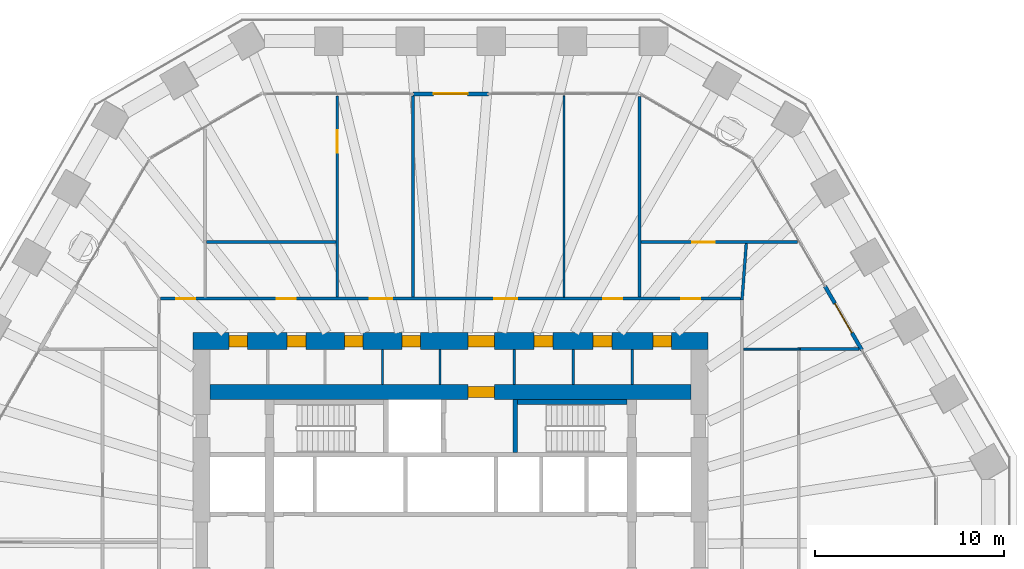
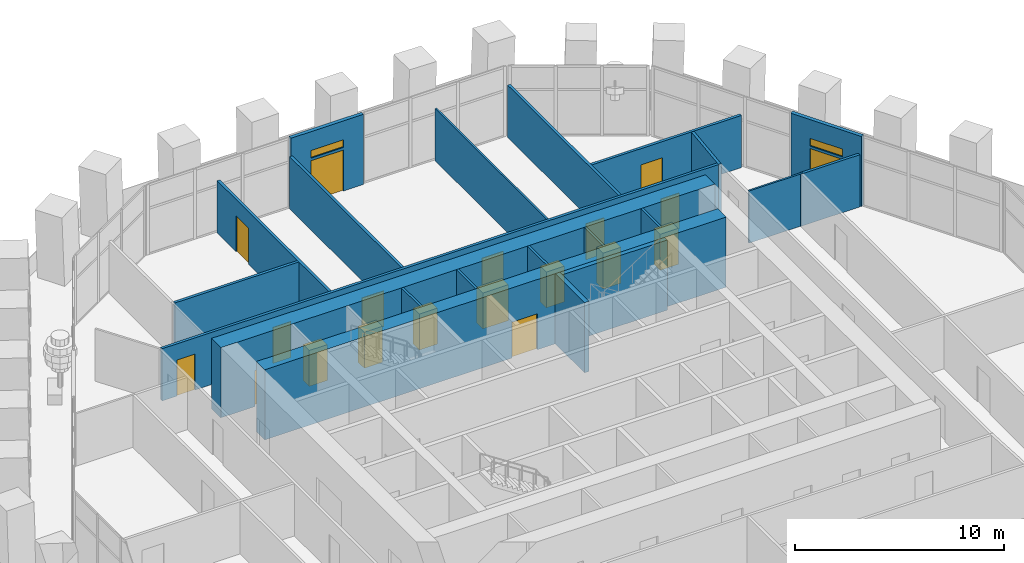
# One storey, part 14 of 18: 21 walls, 19 doors, 2 windows, 21 openings.
"""IFC4 building model written with IfcOpenShell, lengths in metres."""

from ifc_helpers import new_model, si_unit, direction, frame, frame_2d, origin, place, context, subcontext, project, spatial, rectangle, extrude, material, layer, layer_set, type_object, element, fill, save


model = new_model("IFC4")

# Units and contexts
model_context = context("Model", 3, precision=1e-05, world=origin(), true_north=direction((0.0, 1.0)))
body_context = subcontext(model_context, "Body", "Model", "MODEL_VIEW")
ifc_project = project(units=[si_unit("LENGTHUNIT", "METRE"), si_unit("AREAUNIT", "SQUARE_METRE"), si_unit("VOLUMEUNIT", "CUBIC_METRE"), si_unit("PLANEANGLEUNIT", "RADIAN"), si_unit("MASSUNIT", "GRAM", prefix="KILO")], contexts=[model_context])

# Site, building, storey
site_placement = place(None, origin())
site = spatial("IfcSite", under=ifc_project, at=site_placement, CompositionType="ELEMENT")
building_placement = place(site_placement, origin())
building = spatial("IfcBuilding", under=site, at=building_placement, Name="Frailejon Research Tower", CompositionType="ELEMENT")
storey_placement = place(building_placement, frame((0.0, 0.0, 19.0)))
storey = spatial("IfcBuildingStorey", under=building, at=storey_placement, Name="L04", CompositionType="ELEMENT", Elevation=19.0)

# Walls
ifc_material_1 = material(Name="Plasterboard on steel studs", Category="steel")
ifc_layer_1 = layer(ifc_material_1, 0.125)
ifc_layer_set_1 = layer_set([ifc_layer_1], Name="Core partition 125")
wall_type_1 = type_object("IfcWallType", Name="Core partition 125", PredefinedType="PARTITIONING", material=ifc_layer_set_1)
for number, where, z_axis, x_axis, name in (
    (1, (-3.609375, 8.5, 0.0), (0.0, 0.0, 1.0), (0.0, 1.0, 0.0), "Core partition"),
    (2, (-0.5625, 8.5, 0.0), (0.0, 0.0, 1.0), (0.0, 1.0, 0.0), "Core partition"),
    (3, (3.362548828125, 8.5, 0.0), (0.0, 0.0, 1.0), (0.0, 1.0, 0.0), "Core partition"),
    (4, (6.49169921875, 8.5, 0.0), (0.0, 0.0, 1.0), (0.0, 1.0, 0.0), "Core partition"),
    (5, (9.620849609375, 8.5, 0.0), (0.0, 0.0, 1.0), (0.0, 1.0, 0.0), "Core partition"),
):
    element("IfcWall", number, at=place(storey_placement, frame(where, z_axis=z_axis, x_axis=x_axis)), inside=storey, type_object=wall_type_1, Name=name, PredefinedType="PARTITIONING", context=body_context, shape_type="SweptSolid", body=[
        extrude(rectangle(XDim=1.85009765625, YDim=0.125, at=frame_2d((0.925048828125, 0.0))), origin(), (0.0, 0.0, 1.0), 4.10009765625),
    ])

# Wall, opening, door
ifc_material_2 = material(Name="Concrete C70/85", Category="concrete")
ifc_layer_2 = layer(ifc_material_2, 0.800048828125)
ifc_layer_set_2 = layer_set([ifc_layer_2], Name="Core shear wall 800 C70/85")
wall_type_2 = type_object("IfcWallType", Name="Core shear wall 800 C70/85", PredefinedType="SHEAR", material=ifc_layer_set_2)
wall_1_placement = place(storey_placement, frame((-12.75, 8.10009765625, 0.0), z_axis=(0.0, 0.0, 1.0), x_axis=(1.0, 0.0, 0.0)))
wall_1 = element("IfcWall", 6, at=wall_1_placement, inside=storey, type_object=wall_type_2, Name="Core shear wall", PredefinedType="SHEAR", context=body_context, shape_type="SweptSolid", body=[
    extrude(rectangle(XDim=25.5, YDim=0.800048828125, at=frame_2d((12.75, 0.0))), origin(), (0.0, 0.0, 1.0), 4.10009765625),
])
opening_1_placement = place(wall_1_placement, frame((13.675048828125, 0.0, 0.0)))
opening_1 = element("IfcOpeningElement", 7, at=opening_1_placement, cuts=wall_1, Name="Opening D9", PredefinedType="OPENING", context=body_context, shape_type="SweptSolid", body=[
    extrude(rectangle(XDim=1.39990234375, YDim=2.10009765625, at=frame_2d((0.699951171875, 1.050048828125))), frame((0.0, 0.409912109375, 0.0), z_axis=(0.0, -1.0, 0.0), x_axis=(1.0, 0.0, 0.0)), (0.0, 0.0, 1.0), 0.820068359375),
])
ifc_material_3 = material(Name="Steel", Category="steel")
door_type_1 = type_object("IfcDoorType", Name="Goods lobby door", OperationType="DOUBLE_DOOR_SINGLE_SWING", PredefinedType="DOOR", material=ifc_material_3)
door_1_placement = place(opening_1_placement, origin())
door_1 = element("IfcDoor", 8, at=door_1_placement, inside=storey, type_object=door_type_1, Name="Goods lobby door", OperationType="DOUBLE_DOOR_SINGLE_SWING", OverallHeight=2.10009765625, OverallWidth=1.39990234375, PredefinedType="DOOR", context=body_context, shape_type="SweptSolid", body=[
    extrude(rectangle(XDim=1.39990234375, YDim=2.10009765625, at=frame_2d((0.699951171875, 1.050048828125))), frame((0.0, 0.300048828125, 0.0), z_axis=(0.0, -1.0, 0.0), x_axis=(1.0, 0.0, 0.0)), (0.0, 0.0, 1.0), 0.60009765625),
])
fill(opening_1, door_1)

# Wall, openings, doors
ifc_material_4 = material(Name="Concrete C70/85", Category="concrete")
ifc_layer_3 = layer(ifc_material_4, 0.89990234375)
ifc_layer_set_3 = layer_set([ifc_layer_3], Name="Core shear wall 900 C70/85")
wall_type_3 = type_object("IfcWallType", Name="Core shear wall 900 C70/85", PredefinedType="SHEAR", material=ifc_layer_set_3)
wall_2_placement = place(storey_placement, frame((-13.64990234375, 10.800048828125, 0.0), z_axis=(0.0, 0.0, 1.0), x_axis=(1.0, 0.0, 0.0)))
wall_2 = element("IfcWall", 9, at=wall_2_placement, inside=storey, type_object=wall_type_3, Name="Core shear wall", PredefinedType="SHEAR", context=body_context, shape_type="SweptSolid", body=[
    extrude(rectangle(XDim=27.2998046875, YDim=0.89990234375, at=frame_2d((13.64990234375, 0.0))), origin(), (0.0, 0.0, 1.0), 4.10009765625),
])
opening_2_placement = place(wall_2_placement, frame((1.89208984375, 0.0, 0.0)))
opening_2 = element("IfcOpeningElement", 10, at=opening_2_placement, cuts=wall_2, Name="Opening D4", PredefinedType="OPENING", context=body_context, shape_type="SweptSolid", body=[
    extrude(rectangle(XDim=1.0, YDim=2.10009765625, at=frame_2d((0.5, 1.050048828125))), frame((0.0, 0.4599609375, 0.0), z_axis=(0.0, -1.0, 0.0), x_axis=(1.0, 0.0, 0.0)), (0.0, 0.0, 1.0), 0.919921875),
])
opening_3_placement = place(wall_2_placement, frame((4.97021484375, 0.0, 0.0)))
opening_3 = element("IfcOpeningElement", 11, at=opening_3_placement, cuts=wall_2, Name="Opening D4", PredefinedType="OPENING", context=body_context, shape_type="SweptSolid", body=[
    extrude(rectangle(XDim=1.0, YDim=2.10009765625, at=frame_2d((0.5, 1.050048828125))), frame((0.0, 0.4599609375, 0.0), z_axis=(0.0, -1.0, 0.0), x_axis=(1.0, 0.0, 0.0)), (0.0, 0.0, 1.0), 0.919921875),
])
opening_4_placement = place(wall_2_placement, frame((8.01708984375, 0.0, 0.0)))
opening_4 = element("IfcOpeningElement", 12, at=opening_4_placement, cuts=wall_2, Name="Opening D4", PredefinedType="OPENING", context=body_context, shape_type="SweptSolid", body=[
    extrude(rectangle(XDim=1.0, YDim=2.10009765625, at=frame_2d((0.5, 1.050048828125))), frame((0.0, 0.4599609375, 0.0), z_axis=(0.0, -1.0, 0.0), x_axis=(1.0, 0.0, 0.0)), (0.0, 0.0, 1.0), 0.919921875),
])
opening_5_placement = place(wall_2_placement, frame((11.064208984375, 0.0, 0.0)))
opening_5 = element("IfcOpeningElement", 13, at=opening_5_placement, cuts=wall_2, Name="Opening D4", PredefinedType="OPENING", context=body_context, shape_type="SweptSolid", body=[
    extrude(rectangle(XDim=1.0, YDim=2.10009765625, at=frame_2d((0.5, 1.050048828125))), frame((0.0, 0.4599609375, 0.0), z_axis=(0.0, -1.0, 0.0), x_axis=(1.0, 0.0, 0.0)), (0.0, 0.0, 1.0), 0.919921875),
])
opening_6_placement = place(wall_2_placement, frame((18.0771484375, 0.0, 0.0)))
opening_6 = element("IfcOpeningElement", 14, at=opening_6_placement, cuts=wall_2, Name="Opening D4", PredefinedType="OPENING", context=body_context, shape_type="SweptSolid", body=[
    extrude(rectangle(XDim=1.0, YDim=2.10009765625, at=frame_2d((0.5, 1.050048828125))), frame((0.0, 0.4599609375, 0.0), z_axis=(0.0, -1.0, 0.0), x_axis=(1.0, 0.0, 0.0)), (0.0, 0.0, 1.0), 0.919921875),
])
opening_7_placement = place(wall_2_placement, frame((21.206298828125, 0.0, 0.0)))
opening_7 = element("IfcOpeningElement", 15, at=opening_7_placement, cuts=wall_2, Name="Opening D4", PredefinedType="OPENING", context=body_context, shape_type="SweptSolid", body=[
    extrude(rectangle(XDim=1.0, YDim=2.10009765625, at=frame_2d((0.5, 1.050048828125))), frame((0.0, 0.4599609375, 0.0), z_axis=(0.0, -1.0, 0.0), x_axis=(1.0, 0.0, 0.0)), (0.0, 0.0, 1.0), 0.919921875),
])
opening_8_placement = place(wall_2_placement, frame((24.36669921875, 0.0, 0.0)))
opening_8 = element("IfcOpeningElement", 16, at=opening_8_placement, cuts=wall_2, Name="Opening D4", PredefinedType="OPENING", context=body_context, shape_type="SweptSolid", body=[
    extrude(rectangle(XDim=1.0, YDim=2.10009765625, at=frame_2d((0.5, 1.050048828125))), frame((0.0, 0.4599609375, 0.0), z_axis=(0.0, -1.0, 0.0), x_axis=(1.0, 0.0, 0.0)), (0.0, 0.0, 1.0), 0.919921875),
])
opening_9_placement = place(wall_2_placement, frame((14.574951171875, 0.0, 0.0)))
opening_9 = element("IfcOpeningElement", 17, at=opening_9_placement, cuts=wall_2, Name="Opening D9", PredefinedType="OPENING", context=body_context, shape_type="SweptSolid", body=[
    extrude(rectangle(XDim=1.39990234375, YDim=2.10009765625, at=frame_2d((0.699951171875, 1.050048828125))), frame((0.0, 0.4599609375, 0.0), z_axis=(0.0, -1.0, 0.0), x_axis=(1.0, 0.0, 0.0)), (0.0, 0.0, 1.0), 0.919921875),
])
door_2_placement = place(opening_9_placement, origin())
door_2 = element("IfcDoor", 18, at=door_2_placement, inside=storey, type_object=door_type_1, Name="Passage door", OperationType="DOUBLE_DOOR_SINGLE_SWING", OverallHeight=2.10009765625, OverallWidth=1.39990234375, PredefinedType="DOOR", context=body_context, shape_type="SweptSolid", body=[
    extrude(rectangle(XDim=1.39990234375, YDim=2.10009765625, at=frame_2d((0.699951171875, 1.050048828125))), frame((0.0, 0.300048828125, 0.0), z_axis=(0.0, -1.0, 0.0), x_axis=(1.0, 0.0, 0.0)), (0.0, 0.0, 1.0), 0.60009765625),
])
fill(opening_9, door_2)
ifc_material_5 = material(Name="Steel", Category="steel")
door_type_2 = type_object("IfcDoorType", Name="Service door", OperationType="SINGLE_SWING_LEFT", PredefinedType="DOOR", material=ifc_material_5)
door_3_placement = place(opening_2_placement, origin())
door_3 = element("IfcDoor", 19, at=door_3_placement, inside=storey, type_object=door_type_2, Name="Room door", OperationType="SINGLE_SWING_RIGHT", OverallHeight=2.10009765625, OverallWidth=1.0, PredefinedType="DOOR", context=body_context, shape_type="SweptSolid", body=[
    extrude(rectangle(XDim=1.0, YDim=2.10009765625, at=frame_2d((0.5, 1.050048828125))), frame((0.0, 0.300048828125, 0.0), z_axis=(0.0, -1.0, 0.0), x_axis=(1.0, 0.0, 0.0)), (0.0, 0.0, 1.0), 0.60009765625),
])
fill(opening_2, door_3)
door_4_placement = place(opening_3_placement, origin())
door_4 = element("IfcDoor", 20, at=door_4_placement, inside=storey, type_object=door_type_2, Name="Room door", OperationType="SINGLE_SWING_LEFT", OverallHeight=2.10009765625, OverallWidth=1.0, PredefinedType="DOOR", context=body_context, shape_type="SweptSolid", body=[
    extrude(rectangle(XDim=1.0, YDim=2.10009765625, at=frame_2d((0.5, 1.050048828125))), frame((0.0, 0.300048828125, 0.0), z_axis=(0.0, -1.0, 0.0), x_axis=(1.0, 0.0, 0.0)), (0.0, 0.0, 1.0), 0.60009765625),
])
fill(opening_3, door_4)
door_5_placement = place(opening_4_placement, origin())
door_5 = element("IfcDoor", 21, at=door_5_placement, inside=storey, type_object=door_type_2, Name="Room door", OperationType="SINGLE_SWING_RIGHT", OverallHeight=2.10009765625, OverallWidth=1.0, PredefinedType="DOOR", context=body_context, shape_type="SweptSolid", body=[
    extrude(rectangle(XDim=1.0, YDim=2.10009765625, at=frame_2d((0.5, 1.050048828125))), frame((0.0, 0.300048828125, 0.0), z_axis=(0.0, -1.0, 0.0), x_axis=(1.0, 0.0, 0.0)), (0.0, 0.0, 1.0), 0.60009765625),
])
fill(opening_4, door_5)
door_6_placement = place(opening_5_placement, origin())
door_6 = element("IfcDoor", 22, at=door_6_placement, inside=storey, type_object=door_type_2, Name="Room door", OperationType="SINGLE_SWING_LEFT", OverallHeight=2.10009765625, OverallWidth=1.0, PredefinedType="DOOR", context=body_context, shape_type="SweptSolid", body=[
    extrude(rectangle(XDim=1.0, YDim=2.10009765625, at=frame_2d((0.5, 1.050048828125))), frame((0.0, 0.300048828125, 0.0), z_axis=(0.0, -1.0, 0.0), x_axis=(1.0, 0.0, 0.0)), (0.0, 0.0, 1.0), 0.60009765625),
])
fill(opening_5, door_6)
door_7_placement = place(opening_6_placement, origin())
door_7 = element("IfcDoor", 23, at=door_7_placement, inside=storey, type_object=door_type_2, Name="Room door", OperationType="SINGLE_SWING_RIGHT", OverallHeight=2.10009765625, OverallWidth=1.0, PredefinedType="DOOR", context=body_context, shape_type="SweptSolid", body=[
    extrude(rectangle(XDim=1.0, YDim=2.10009765625, at=frame_2d((0.5, 1.050048828125))), frame((0.0, 0.300048828125, 0.0), z_axis=(0.0, -1.0, 0.0), x_axis=(1.0, 0.0, 0.0)), (0.0, 0.0, 1.0), 0.60009765625),
])
fill(opening_6, door_7)
door_8_placement = place(opening_7_placement, origin())
door_8 = element("IfcDoor", 24, at=door_8_placement, inside=storey, type_object=door_type_2, Name="Room door", OperationType="SINGLE_SWING_LEFT", OverallHeight=2.10009765625, OverallWidth=1.0, PredefinedType="DOOR", context=body_context, shape_type="SweptSolid", body=[
    extrude(rectangle(XDim=1.0, YDim=2.10009765625, at=frame_2d((0.5, 1.050048828125))), frame((0.0, 0.300048828125, 0.0), z_axis=(0.0, -1.0, 0.0), x_axis=(1.0, 0.0, 0.0)), (0.0, 0.0, 1.0), 0.60009765625),
])
fill(opening_7, door_8)
door_9_placement = place(opening_8_placement, origin())
door_9 = element("IfcDoor", 25, at=door_9_placement, inside=storey, type_object=door_type_2, Name="Room door", OperationType="SINGLE_SWING_RIGHT", OverallHeight=2.10009765625, OverallWidth=1.0, PredefinedType="DOOR", context=body_context, shape_type="SweptSolid", body=[
    extrude(rectangle(XDim=1.0, YDim=2.10009765625, at=frame_2d((0.5, 1.050048828125))), frame((0.0, 0.300048828125, 0.0), z_axis=(0.0, -1.0, 0.0), x_axis=(1.0, 0.0, 0.0)), (0.0, 0.0, 1.0), 0.60009765625),
])
fill(opening_8, door_9)

ifc_material_6 = material(Name="Gypsum board and masonry partition", Category="masonry")
ifc_layer_4 = layer(ifc_material_6, 0.14990234375)
ifc_layer_set_4 = layer_set([ifc_layer_4], Name="Corridor wall EI 60, gypsum on steel studs 150")
wall_type_4 = type_object("IfcWallType", Name="Corridor wall EI 60, gypsum on steel studs 150", PredefinedType="PARTITIONING", material=ifc_layer_set_4)
wall_3_placement = place(storey_placement, frame((-15.375, 13.050048828125, 0.0), z_axis=(0.0, 0.0, 1.0), x_axis=(1.0, 0.0, 0.0)))
wall_3 = element("IfcWall", 26, at=wall_3_placement, inside=storey, type_object=wall_type_4, Name="T:IW:L04:002", PredefinedType="PARTITIONING", context=body_context, shape_type="SweptSolid", body=[
    extrude(rectangle(XDim=30.75, YDim=0.14990234375, at=frame_2d((15.375, 0.0))), origin(), (0.0, 0.0, 1.0), 3.050048828125),
])
opening_10_placement = place(wall_3_placement, frame((27.60791015625, 0.0, 0.0)))
opening_10 = element("IfcOpeningElement", 27, at=opening_10_placement, cuts=wall_3, Name="Opening D1246", PredefinedType="OPENING", context=body_context, shape_type="SweptSolid", body=[
    extrude(rectangle(XDim=1.0, YDim=2.10009765625, at=frame_2d((0.5, 1.050048828125))), frame((0.0, 0.0849609375, 0.0), z_axis=(0.0, -1.0, 0.0), x_axis=(1.0, 0.0, 0.0)), (0.0, 0.0, 1.0), 0.169921875),
])
opening_11_placement = place(wall_3_placement, frame((23.464599609375, 0.0, 0.0)))
opening_11 = element("IfcOpeningElement", 28, at=opening_11_placement, cuts=wall_3, Name="Opening D1248", PredefinedType="OPENING", context=body_context, shape_type="SweptSolid", body=[
    extrude(rectangle(XDim=1.0, YDim=2.10009765625, at=frame_2d((0.5, 1.050048828125))), frame((0.0, 0.0849609375, 0.0), z_axis=(0.0, -1.0, 0.0), x_axis=(1.0, 0.0, 0.0)), (0.0, 0.0, 1.0), 0.169921875),
])
opening_12_placement = place(wall_3_placement, frame((17.695068359375, 0.0, 0.0)))
opening_12 = element("IfcOpeningElement", 29, at=opening_12_placement, cuts=wall_3, Name="Opening D1249", PredefinedType="OPENING", context=body_context, shape_type="SweptSolid", body=[
    extrude(rectangle(XDim=1.199951171875, YDim=2.10009765625, at=frame_2d((0.60009765625, 1.050048828125))), frame((0.0, 0.0849609375, 0.0), z_axis=(0.0, -1.0, 0.0), x_axis=(1.0, 0.0, 0.0)), (0.0, 0.0, 1.0), 0.169921875),
])
opening_13_placement = place(wall_3_placement, frame((11.08447265625, 0.0, 0.0)))
opening_13 = element("IfcOpeningElement", 30, at=opening_13_placement, cuts=wall_3, Name="Opening D1250", PredefinedType="OPENING", context=body_context, shape_type="SweptSolid", body=[
    extrude(rectangle(XDim=1.199951171875, YDim=2.10009765625, at=frame_2d((0.60009765625, 1.050048828125))), frame((0.0, 0.0849609375, 0.0), z_axis=(0.0, -1.0, 0.0), x_axis=(1.0, 0.0, 0.0)), (0.0, 0.0, 1.0), 0.169921875),
])
opening_14_placement = place(wall_3_placement, frame((6.158203125, 0.0, 0.0)))
opening_14 = element("IfcOpeningElement", 31, at=opening_14_placement, cuts=wall_3, Name="Opening D1252", PredefinedType="OPENING", context=body_context, shape_type="SweptSolid", body=[
    extrude(rectangle(XDim=1.0, YDim=2.10009765625, at=frame_2d((0.5, 1.050048828125))), frame((0.0, 0.0849609375, 0.0), z_axis=(0.0, -1.0, 0.0), x_axis=(1.0, 0.0, 0.0)), (0.0, 0.0, 1.0), 0.169921875),
])
opening_15_placement = place(wall_3_placement, frame((0.825439453125, 0.0, 0.0)))
opening_15 = element("IfcOpeningElement", 32, at=opening_15_placement, cuts=wall_3, Name="Opening D1253", PredefinedType="OPENING", context=body_context, shape_type="SweptSolid", body=[
    extrude(rectangle(XDim=1.0, YDim=2.10009765625, at=frame_2d((0.5, 1.050048828125))), frame((0.0, 0.0849609375, 0.0), z_axis=(0.0, -1.0, 0.0), x_axis=(1.0, 0.0, 0.0)), (0.0, 0.0, 1.0), 0.169921875),
])
ifc_material_7 = material(Name="Timber door leaf", Category="wood")
door_type_3 = type_object("IfcDoorType", Name="Door laboratory, timber, vision panel 1000", OperationType="NOTDEFINED", PredefinedType="DOOR", material=ifc_material_7)
door_10_placement = place(opening_10_placement, origin())
door_10 = element("IfcDoor", 33, at=door_10_placement, inside=storey, type_object=door_type_3, Name="D1246", OperationType="SINGLE_SWING_LEFT", OverallHeight=2.10009765625, OverallWidth=1.0, PredefinedType="DOOR", context=body_context, shape_type="SweptSolid", body=[
    extrude(rectangle(XDim=1.0, YDim=2.10009765625, at=frame_2d((0.5, 1.050048828125))), frame((0.0, 0.02490234375, 0.0), z_axis=(0.0, -1.0, 0.0), x_axis=(1.0, 0.0, 0.0)), (0.0, 0.0, 1.0), 0.050048828125),
])
fill(opening_10, door_10)
ifc_material_8 = material(Name="Timber door leaf", Category="wood")
door_type_4 = type_object("IfcDoorType", Name="Door laboratory, timber, vision panel 1200", OperationType="NOTDEFINED", PredefinedType="DOOR", material=ifc_material_8)
door_11_placement = place(opening_13_placement, origin())
door_11 = element("IfcDoor", 34, at=door_11_placement, inside=storey, type_object=door_type_4, Name="D1250", OperationType="DOUBLE_DOOR_SINGLE_SWING", OverallHeight=2.10009765625, OverallWidth=1.199951171875, PredefinedType="DOOR", context=body_context, shape_type="SweptSolid", body=[
    extrude(rectangle(XDim=1.199951171875, YDim=2.10009765625, at=frame_2d((0.60009765625, 1.050048828125))), frame((0.0, 0.02490234375, 0.0), z_axis=(0.0, -1.0, 0.0), x_axis=(1.0, 0.0, 0.0)), (0.0, 0.0, 1.0), 0.050048828125),
])
fill(opening_13, door_11)
ifc_material_9 = material(Name="Timber door leaf", Category="wood")
door_type_5 = type_object("IfcDoorType", Name="Door single leaf, timber, steel frame 1000", OperationType="NOTDEFINED", PredefinedType="DOOR", material=ifc_material_9)
door_12_placement = place(opening_11_placement, origin())
door_12 = element("IfcDoor", 35, at=door_12_placement, inside=storey, type_object=door_type_5, Name="D1248", OperationType="SINGLE_SWING_RIGHT", OverallHeight=2.10009765625, OverallWidth=1.0, PredefinedType="DOOR", context=body_context, shape_type="SweptSolid", body=[
    extrude(rectangle(XDim=1.0, YDim=2.10009765625, at=frame_2d((0.5, 1.050048828125))), frame((0.0, 0.02490234375, 0.0), z_axis=(0.0, -1.0, 0.0), x_axis=(1.0, 0.0, 0.0)), (0.0, 0.0, 1.0), 0.050048828125),
])
fill(opening_11, door_12)
door_13_placement = place(opening_14_placement, origin())
door_13 = element("IfcDoor", 36, at=door_13_placement, inside=storey, type_object=door_type_5, Name="D1252", OperationType="SINGLE_SWING_RIGHT", OverallHeight=2.10009765625, OverallWidth=1.0, PredefinedType="DOOR", context=body_context, shape_type="SweptSolid", body=[
    extrude(rectangle(XDim=1.0, YDim=2.10009765625, at=frame_2d((0.5, 1.050048828125))), frame((0.0, 0.02490234375, 0.0), z_axis=(0.0, -1.0, 0.0), x_axis=(1.0, 0.0, 0.0)), (0.0, 0.0, 1.0), 0.050048828125),
])
fill(opening_14, door_13)
door_14_placement = place(opening_15_placement, origin())
door_14 = element("IfcDoor", 37, at=door_14_placement, inside=storey, type_object=door_type_5, Name="D1253", OperationType="SINGLE_SWING_RIGHT", OverallHeight=2.10009765625, OverallWidth=1.0, PredefinedType="DOOR", context=body_context, shape_type="SweptSolid", body=[
    extrude(rectangle(XDim=1.0, YDim=2.10009765625, at=frame_2d((0.5, 1.050048828125))), frame((0.0, 0.02490234375, 0.0), z_axis=(0.0, -1.0, 0.0), x_axis=(1.0, 0.0, 0.0)), (0.0, 0.0, 1.0), 0.050048828125),
])
fill(opening_15, door_14)
ifc_material_10 = material(Name="Timber door leaf", Category="wood")
door_type_6 = type_object("IfcDoorType", Name="Door single leaf, timber, steel frame 1200", OperationType="NOTDEFINED", PredefinedType="DOOR", material=ifc_material_10)
door_15_placement = place(opening_12_placement, origin())
door_15 = element("IfcDoor", 38, at=door_15_placement, inside=storey, type_object=door_type_6, Name="D1249", OperationType="DOUBLE_DOOR_SINGLE_SWING", OverallHeight=2.10009765625, OverallWidth=1.199951171875, PredefinedType="DOOR", context=body_context, shape_type="SweptSolid", body=[
    extrude(rectangle(XDim=1.199951171875, YDim=2.10009765625, at=frame_2d((0.60009765625, 1.050048828125))), frame((0.0, 0.02490234375, 0.0), z_axis=(0.0, -1.0, 0.0), x_axis=(1.0, 0.0, 0.0)), (0.0, 0.0, 1.0), 0.050048828125),
])
fill(opening_12, door_15)

# Walls
ifc_material_11 = material(Name="Gypsum board and masonry partition", Category="masonry")
ifc_layer_5 = layer(ifc_material_11, 0.14990234375)
ifc_layer_set_5 = layer_set([ifc_layer_5], Name="Laboratory partition, blockwork 150")
wall_type_5 = type_object("IfcWallType", Name="Laboratory partition, blockwork 150", PredefinedType="PARTITIONING", material=ifc_layer_set_5)
wall_4_placement = place(storey_placement, frame((18.375, 10.375732421875, 0.0), z_axis=(0.0, 0.0, 1.0), x_axis=(1.0, 0.0, 0.0)))
element("IfcWall", 39, at=wall_4_placement, inside=storey, type_object=wall_type_5, Name="T:IW:L04:007", PredefinedType="PARTITIONING", context=body_context, shape_type="SweptSolid", body=[
    extrude(rectangle(XDim=3.276123046875, YDim=0.14990234375, at=frame_2d((1.63818359375, 0.0))), origin(), (0.0, 0.0, 1.0), 3.050048828125),
])
wall_5_placement = place(storey_placement, frame((15.4443359375, 12.97509765625, 0.0), z_axis=(0.0, 0.0, 1.0), x_axis=(0.075387075765, 0.997154345529, 0.0)))
element("IfcWall", 40, at=wall_5_placement, inside=storey, type_object=wall_type_5, Name="T:IW:L04:009", PredefinedType="PARTITIONING", context=body_context, shape_type="SweptSolid", body=[
    extrude(rectangle(XDim=3.008544921875, YDim=0.14990234375, at=frame_2d((1.50439453125, 0.0))), origin(), (0.0, 0.0, 1.0), 3.050048828125),
])
wall_6_placement = place(storey_placement, frame((-12.941162109375, 16.050048828125, 0.0), z_axis=(0.0, 0.0, 1.0), x_axis=(1.0, 0.0, 0.0)))
element("IfcWall", 41, at=wall_6_placement, inside=storey, type_object=wall_type_5, Name="T:IW:L04:010", PredefinedType="PARTITIONING", context=body_context, shape_type="SweptSolid", body=[
    extrude(rectangle(XDim=6.8564453125, YDim=0.14990234375, at=frame_2d((3.42822265625, 0.0))), origin(), (0.0, 0.0, 1.0), 3.050048828125),
])

# Wall, opening, door
wall_7_placement = place(storey_placement, frame((10.091064453125, 16.050048828125, 0.0), z_axis=(0.0, 0.0, 1.0), x_axis=(1.0, 0.0, 0.0)))
wall_7 = element("IfcWall", 42, at=wall_7_placement, inside=storey, type_object=wall_type_5, Name="T:IW:L04:011", PredefinedType="PARTITIONING", context=body_context, shape_type="SweptSolid", body=[
    extrude(rectangle(XDim=8.283935546875, YDim=0.14990234375, at=frame_2d((4.14208984375, 0.0))), origin(), (0.0, 0.0, 1.0), 3.050048828125),
])
opening_16_placement = place(wall_7_placement, frame((2.719482421875, 0.0, 0.0)))
opening_16 = element("IfcOpeningElement", 43, at=opening_16_placement, cuts=wall_7, Name="Opening D1247", PredefinedType="OPENING", context=body_context, shape_type="SweptSolid", body=[
    extrude(rectangle(XDim=1.199951171875, YDim=2.10009765625, at=frame_2d((0.60009765625, 1.050048828125))), frame((0.0, 0.0849609375, 0.0), z_axis=(0.0, -1.0, 0.0), x_axis=(1.0, 0.0, 0.0)), (0.0, 0.0, 1.0), 0.169921875),
])
door_16_placement = place(opening_16_placement, origin())
door_16 = element("IfcDoor", 44, at=door_16_placement, inside=storey, type_object=door_type_4, Name="D1247", OperationType="DOUBLE_DOOR_SINGLE_SWING", OverallHeight=2.10009765625, OverallWidth=1.199951171875, PredefinedType="DOOR", context=body_context, shape_type="SweptSolid", body=[
    extrude(rectangle(XDim=1.199951171875, YDim=2.10009765625, at=frame_2d((0.60009765625, 1.050048828125))), frame((0.0, 0.02490234375, 0.0), z_axis=(0.0, -1.0, 0.0), x_axis=(1.0, 0.0, 0.0)), (0.0, 0.0, 1.0), 0.050048828125),
])
fill(opening_16, door_16)

# Walls
wall_8_placement = place(storey_placement, frame((10.01611328125, 13.125, 0.0), z_axis=(0.0, 0.0, 1.0), x_axis=(0.0, 1.0, 0.0)))
element("IfcWall", 45, at=wall_8_placement, inside=storey, type_object=wall_type_5, Name="T:IW:L04:012", PredefinedType="PARTITIONING", context=body_context, shape_type="SweptSolid", body=[
    extrude(rectangle(XDim=10.64404296875, YDim=0.14990234375, at=frame_2d((5.322021484375, 0.0))), origin(), (0.0, 0.0, 1.0), 3.050048828125),
])
wall_9_placement = place(storey_placement, frame((-2.003173828125, 13.125, 0.0), z_axis=(0.0, 0.0, 1.0), x_axis=(0.0, 1.0, 0.0)))
element("IfcWall", 46, at=wall_9_placement, inside=storey, type_object=wall_type_5, Name="T:IW:L04:013", PredefinedType="PARTITIONING", context=body_context, shape_type="SweptSolid", body=[
    extrude(rectangle(XDim=10.675048828125, YDim=0.14990234375, at=frame_2d((5.33740234375, 0.0))), origin(), (0.0, 0.0, 1.0), 3.050048828125),
])

# Wall, opening, door
wall_10_placement = place(storey_placement, frame((-6.009521484375, 13.125, 0.0), z_axis=(0.0, 0.0, 1.0), x_axis=(0.0, 1.0, 0.0)))
wall_10 = element("IfcWall", 47, at=wall_10_placement, inside=storey, type_object=wall_type_5, Name="T:IW:L04:014", PredefinedType="PARTITIONING", context=body_context, shape_type="SweptSolid", body=[
    extrude(rectangle(XDim=10.675048828125, YDim=0.14990234375, at=frame_2d((5.33740234375, 0.0))), origin(), (0.0, 0.0, 1.0), 3.050048828125),
])
opening_17_placement = place(wall_10_placement, frame((7.66259765625, 0.0, 0.0)))
opening_17 = element("IfcOpeningElement", 48, at=opening_17_placement, cuts=wall_10, Name="Opening D1251", PredefinedType="OPENING", context=body_context, shape_type="SweptSolid", body=[
    extrude(rectangle(XDim=1.199951171875, YDim=2.10009765625, at=frame_2d((0.60009765625, 1.050048828125))), frame((0.0, 0.0849609375, 0.0), z_axis=(0.0, -1.0, 0.0), x_axis=(1.0, 0.0, 0.0)), (0.0, 0.0, 1.0), 0.169921875),
])
door_17_placement = place(opening_17_placement, origin())
door_17 = element("IfcDoor", 49, at=door_17_placement, inside=storey, type_object=door_type_4, Name="D1251", OperationType="DOUBLE_DOOR_SINGLE_SWING", OverallHeight=2.10009765625, OverallWidth=1.199951171875, PredefinedType="DOOR", context=body_context, shape_type="SweptSolid", body=[
    extrude(rectangle(XDim=1.199951171875, YDim=2.10009765625, at=frame_2d((0.60009765625, 1.050048828125))), frame((0.0, 0.02490234375, 0.0), z_axis=(0.0, -1.0, 0.0), x_axis=(1.0, 0.0, 0.0)), (0.0, 0.0, 1.0), 0.050048828125),
])
fill(opening_17, door_17)

# Walls
ifc_material_12 = material(Name="Gypsum board and masonry partition", Category="masonry")
ifc_layer_6 = layer(ifc_material_12, 0.10009765625)
ifc_layer_set_6 = layer_set([ifc_layer_6], Name="Partition, gypsum on steel studs 100")
wall_type_6 = type_object("IfcWallType", Name="Partition, gypsum on steel studs 100", PredefinedType="PARTITIONING", material=ifc_layer_set_6)
wall_11_placement = place(storey_placement, frame((15.52490234375, 10.375732421875, 0.0), z_axis=(0.0, 0.0, 1.0), x_axis=(1.0, 0.0, 0.0)))
element("IfcWall", 50, at=wall_11_placement, inside=storey, type_object=wall_type_6, Name="T:IW:L04:026", PredefinedType="PARTITIONING", context=body_context, shape_type="SweptSolid", body=[
    extrude(rectangle(XDim=3.0, YDim=0.10009765625, at=frame_2d((1.5, 0.0))), origin(), (0.0, 0.0, 1.0), 3.050048828125),
])
wall_12_placement = place(storey_placement, frame((6.009521484375, 13.125, 0.0), z_axis=(0.0, 0.0, 1.0), x_axis=(0.0, 1.0, 0.0)))
element("IfcWall", 51, at=wall_12_placement, inside=storey, type_object=wall_type_6, Name="T:IW:L04:027", PredefinedType="PARTITIONING", context=body_context, shape_type="SweptSolid", body=[
    extrude(rectangle(XDim=10.675048828125, YDim=0.10009765625, at=frame_2d((5.33740234375, 0.0))), origin(), (0.0, 0.0, 1.0), 3.050048828125),
])
ifc_material_13 = material(Name="Concrete C70/85", Category="concrete")
ifc_layer_7 = layer(ifc_material_13, 0.25)
ifc_layer_set_7 = layer_set([ifc_layer_7], Name="Shaft wall 250 C70/85")
wall_type_7 = type_object("IfcWallType", Name="Shaft wall 250 C70/85", PredefinedType="SOLIDWALL", material=ifc_layer_set_7)
wall_13_placement = place(storey_placement, frame((3.550048828125, 7.574951171875, 0.0), z_axis=(0.0, 0.0, 1.0), x_axis=(1.0, 0.0, 0.0)))
element("IfcWall", 52, at=wall_13_placement, inside=storey, type_object=wall_type_7, Name="Shaft wall", PredefinedType="SOLIDWALL", context=body_context, shape_type="SweptSolid", body=[
    extrude(rectangle(XDim=5.800048828125, YDim=0.25, at=frame_2d((2.89990234375, 0.0))), origin(), (0.0, 0.0, 1.0), 4.10009765625),
])
wall_14_placement = place(storey_placement, frame((3.425048828125, 4.89990234375, 0.0), z_axis=(0.0, 0.0, 1.0), x_axis=(0.0, 1.0, 0.0)))
element("IfcWall", 53, at=wall_14_placement, inside=storey, type_object=wall_type_7, Name="Shaft wall", PredefinedType="SOLIDWALL", context=body_context, shape_type="SweptSolid", body=[
    extrude(rectangle(XDim=2.800048828125, YDim=0.25, at=frame_2d((1.39990234375, 0.0))), origin(), (0.0, 0.0, 1.0), 4.10009765625),
])

# Wall, openings, door, window
ifc_material_14 = material(Name="Concrete C40/50 precast window wall panel", Category="concrete")
ifc_layer_8 = layer(ifc_material_14, 0.199951171875)
ifc_layer_set_8 = layer_set([ifc_layer_8], Name="Window wall 200")
wall_type_8 = type_object("IfcWallType", Name="Window wall 200", PredefinedType="SOLIDWALL", material=ifc_layer_set_8)
wall_15_placement = place(storey_placement, frame((21.792724609375, 10.330322265625, 0.0), z_axis=(0.0, 0.0, 1.0), x_axis=(-0.499997012787, 0.866027128446, 0.0)))
wall_15 = element("IfcWall", 54, at=wall_15_placement, inside=storey, type_object=wall_type_8, Name="Door pier L04", PredefinedType="SOLIDWALL", context=body_context, shape_type="SweptSolid", body=[
    extrude(rectangle(XDim=3.89990234375, YDim=0.199951171875, at=frame_2d((1.949951171875, 0.0))), origin(), (0.0, 0.0, 1.0), 4.10009765625),
])
opening_18_placement = place(wall_15_placement, frame((1.050048828125, 0.0, 0.0)))
opening_18 = element("IfcOpeningElement", 55, at=opening_18_placement, cuts=wall_15, Name="Opening LG04-1", PredefinedType="OPENING", context=body_context, shape_type="SweptSolid", body=[
    extrude(rectangle(XDim=1.800048828125, YDim=2.39990234375, at=frame_2d((0.89990234375, 1.199951171875))), frame((0.0, 0.10986328125, 0.0), z_axis=(0.0, -1.0, 0.0), x_axis=(1.0, 0.0, 0.0)), (0.0, 0.0, 1.0), 0.219970703125),
])
opening_19_placement = place(wall_15_placement, frame((1.050048828125, 0.0, 2.550048828125)))
opening_19 = element("IfcOpeningElement", 56, at=opening_19_placement, cuts=wall_15, Name="Opening W1", PredefinedType="OPENING", context=body_context, shape_type="SweptSolid", body=[
    extrude(rectangle(XDim=1.800048828125, YDim=0.449951171875, at=frame_2d((0.89990234375, 0.22509765625))), frame((0.0, 0.10986328125, 0.0), z_axis=(0.0, -1.0, 0.0), x_axis=(1.0, 0.0, 0.0)), (0.0, 0.0, 1.0), 0.219970703125),
])
ifc_material_15 = material(Name="Aluminium framed glazed door leaf", Category="aluminium")
door_type_7 = type_object("IfcDoorType", Name="Loggia door 1800x2400", OperationType="DOUBLE_DOOR_SINGLE_SWING", PredefinedType="DOOR", material=ifc_material_15)
door_18_placement = place(opening_18_placement, origin())
door_18 = element("IfcDoor", 57, at=door_18_placement, inside=storey, type_object=door_type_7, Name="Door LG04-1", OperationType="DOUBLE_DOOR_SINGLE_SWING", OverallHeight=2.39990234375, OverallWidth=1.800048828125, PredefinedType="DOOR", context=body_context, shape_type="SweptSolid", body=[
    extrude(rectangle(XDim=1.800048828125, YDim=2.39990234375, at=frame_2d((0.89990234375, 1.199951171875))), frame((0.0, 0.02490234375, 0.0), z_axis=(0.0, -1.0, 0.0), x_axis=(1.0, 0.0, 0.0)), (0.0, 0.0, 1.0), 0.050048828125),
])
fill(opening_18, door_18)
ifc_material_16 = material(Name="Aluminium framed double glazing", Category="aluminium")
window_type = type_object("IfcWindowType", Name="Window 1800x450", PartitioningType="SINGLE_PANEL", PredefinedType="WINDOW", material=ifc_material_16)
window_1_placement = place(opening_19_placement, origin())
window_1 = element("IfcWindow", 58, at=window_1_placement, inside=storey, type_object=window_type, Name="Window L04", OverallHeight=0.449951171875, OverallWidth=1.800048828125, PartitioningType="SINGLE_PANEL", PredefinedType="WINDOW", context=body_context, shape_type="SweptSolid", body=[
    extrude(rectangle(XDim=1.800048828125, YDim=0.449951171875, at=frame_2d((0.89990234375, 0.22509765625))), frame((0.0, 0.030029296875, 0.0), z_axis=(0.0, -1.0, 0.0), x_axis=(1.0, 0.0, 0.0)), (0.0, 0.0, 1.0), 0.06005859375),
])
fill(opening_19, window_1)

wall_16_placement = place(storey_placement, frame((1.997802734375, 23.89990234375, 0.0), z_axis=(0.0, 0.0, 1.0), x_axis=(-1.0, 0.0, 0.0)))
wall_16 = element("IfcWall", 59, at=wall_16_placement, inside=storey, type_object=wall_type_8, Name="Door pier L04", PredefinedType="SOLIDWALL", context=body_context, shape_type="SweptSolid", body=[
    extrude(rectangle(XDim=3.99560546875, YDim=0.199951171875, at=frame_2d((1.997802734375, 0.0))), origin(), (0.0, 0.0, 1.0), 4.10009765625),
])
opening_20_placement = place(wall_16_placement, frame((1.097900390625, 0.0, 0.0)))
opening_20 = element("IfcOpeningElement", 60, at=opening_20_placement, cuts=wall_16, Name="Opening LG04-2", PredefinedType="OPENING", context=body_context, shape_type="SweptSolid", body=[
    extrude(rectangle(XDim=1.800048828125, YDim=2.39990234375, at=frame_2d((0.89990234375, 1.199951171875))), frame((0.0, 0.10986328125, 0.0), z_axis=(0.0, -1.0, 0.0), x_axis=(1.0, 0.0, 0.0)), (0.0, 0.0, 1.0), 0.219970703125),
])
opening_21_placement = place(wall_16_placement, frame((1.097900390625, 0.0, 2.550048828125)))
opening_21 = element("IfcOpeningElement", 61, at=opening_21_placement, cuts=wall_16, Name="Opening W1", PredefinedType="OPENING", context=body_context, shape_type="SweptSolid", body=[
    extrude(rectangle(XDim=1.800048828125, YDim=0.449951171875, at=frame_2d((0.89990234375, 0.22509765625))), frame((0.0, 0.10986328125, 0.0), z_axis=(0.0, -1.0, 0.0), x_axis=(1.0, 0.0, 0.0)), (0.0, 0.0, 1.0), 0.219970703125),
])
door_19_placement = place(opening_20_placement, origin())
door_19 = element("IfcDoor", 62, at=door_19_placement, inside=storey, type_object=door_type_7, Name="Door LG04-2", OperationType="DOUBLE_DOOR_SINGLE_SWING", OverallHeight=2.39990234375, OverallWidth=1.800048828125, PredefinedType="DOOR", context=body_context, shape_type="SweptSolid", body=[
    extrude(rectangle(XDim=1.800048828125, YDim=2.39990234375, at=frame_2d((0.89990234375, 1.199951171875))), frame((0.0, 0.02490234375, 0.0), z_axis=(0.0, -1.0, 0.0), x_axis=(1.0, 0.0, 0.0)), (0.0, 0.0, 1.0), 0.050048828125),
])
fill(opening_20, door_19)
window_2_placement = place(opening_21_placement, origin())
window_2 = element("IfcWindow", 63, at=window_2_placement, inside=storey, type_object=window_type, Name="Window L04", OverallHeight=0.449951171875, OverallWidth=1.800048828125, PartitioningType="SINGLE_PANEL", PredefinedType="WINDOW", context=body_context, shape_type="SweptSolid", body=[
    extrude(rectangle(XDim=1.800048828125, YDim=0.449951171875, at=frame_2d((0.89990234375, 0.22509765625))), frame((0.0, 0.030029296875, 0.0), z_axis=(0.0, -1.0, 0.0), x_axis=(1.0, 0.0, 0.0)), (0.0, 0.0, 1.0), 0.06005859375),
])
fill(opening_21, window_2)

save(model, "model.ifc")
